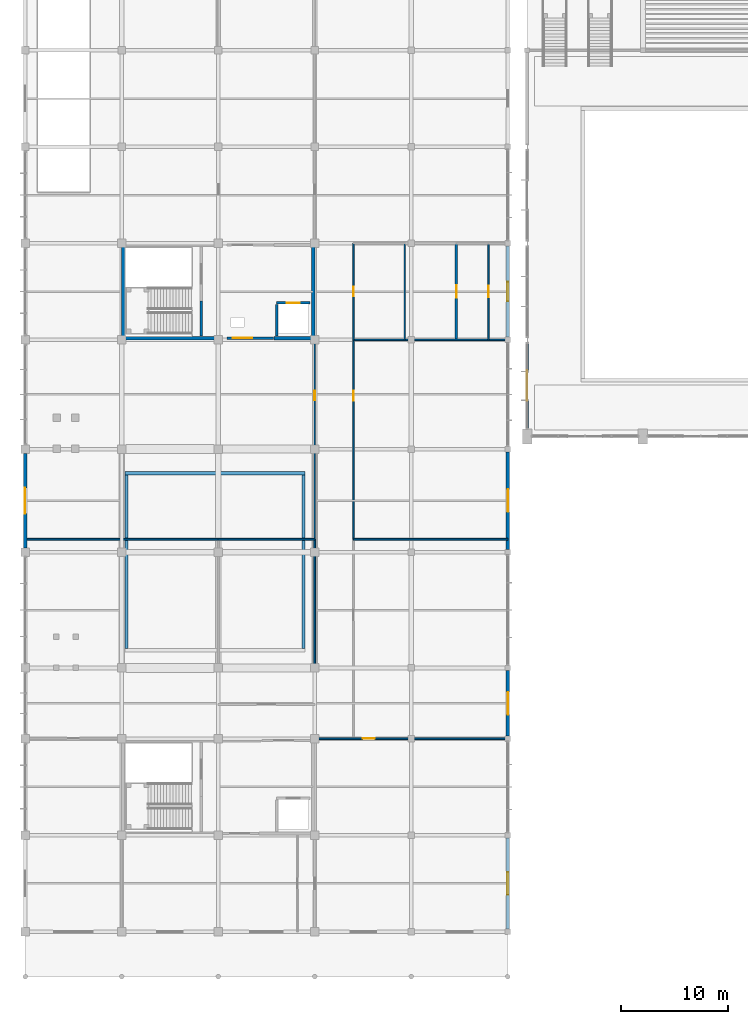
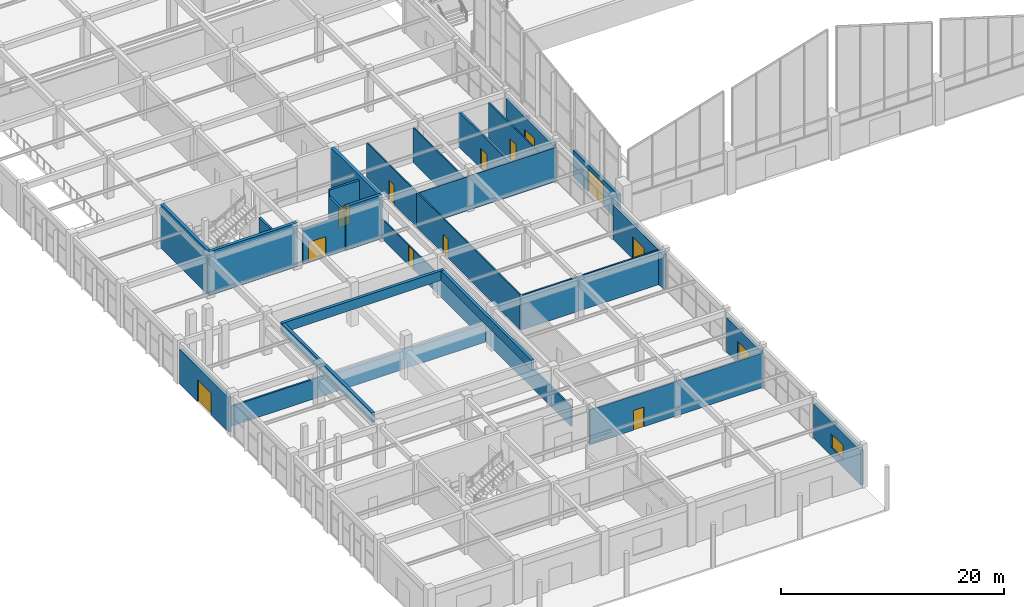
# One storey, part 48 of 82: 29 walls, 12 doors, 2 windows, 14 openings.
"""IFC4 building model written with IfcOpenShell, lengths in metres."""

import ifcopenshell
import ifcopenshell.guid

model = None  # the IFC model being written
_history = None  # IfcOwnerHistory: only IFC2X3 demands one
_inside = {}  # id of a spatial element -> (the spatial element, [elements in it])
_under = {}  # id of a project, library or spatial element -> (it, [spatial elements below it])
_declared = {}  # id of a project -> (the project, [libraries it declares])
_typed = {}  # id of a type object -> (the type object, [elements of that type])
_made_of = {}  # id of a material, layer set ... -> (it, [elements and type objects made of it])


def new_model(schema):
    """Start an empty IFC model of exactly this schema.

    Asked for "IFC4X3", IfcOpenShell would pick the latest addendum, in which some entities
    have other attributes; the version numbers below select the first issue.
    IFC2X3 requires an IfcOwnerHistory on every rooted entity: one is made here for all.
    """
    global model, _history
    if schema == "IFC4X3":
        model = ifcopenshell.file(schema_version=(4, 3, 0, 0))
    else:
        model = ifcopenshell.file(schema=schema)
    _inside.clear()
    _under.clear()
    _declared.clear()
    _typed.clear()
    _made_of.clear()
    _history = None
    if model.schema == "IFC2X3":
        org = make("IfcOrganization", Name="unknown")
        user = make(
            "IfcPersonAndOrganization",
            ThePerson=make("IfcPerson", FamilyName="unknown"),
            TheOrganization=org,
        )
        app = make(
            "IfcApplication",
            ApplicationDeveloper=org,
            Version="unknown",
            ApplicationFullName="unknown",
            ApplicationIdentifier="unknown",
        )
        _history = make(
            "IfcOwnerHistory",
            OwningUser=user,
            OwningApplication=app,
            ChangeAction="ADDED",
            CreationDate=0,
        )
    return model


def make(cls, **values):
    """One entity of the class cls with the attributes given. An attribute that is None is left unset."""
    return model.create_entity(
        cls, **{name: value for name, value in values.items() if value is not None}
    )


def rooted(cls, **values):
    """An entity with a GlobalId (a new one), such as an element, a storey or a relation."""
    return make(cls, GlobalId=ifcopenshell.guid.new(), OwnerHistory=_history, **values)


def si_unit(unit_type, name, prefix=None):
    """IfcSIUnit, for example si_unit("LENGTHUNIT", "METRE", prefix="MILLI")."""
    return make("IfcSIUnit", UnitType=unit_type, Prefix=prefix, Name=name)


def assignment(units):
    """IfcUnitAssignment: the units of a project."""
    return None if units is None else make("IfcUnitAssignment", Units=units)


def point(xyz):
    """IfcCartesianPoint."""
    return None if xyz is None else make("IfcCartesianPoint", Coordinates=xyz)


def direction(xyz):
    """IfcDirection."""
    return None if xyz is None else make("IfcDirection", DirectionRatios=xyz)


def frame(location, z_axis=None, x_axis=None):
    """IfcAxis2Placement3D, a coordinate frame: its origin and axes. An axis left out is left unset."""
    return make(
        "IfcAxis2Placement3D",
        Location=point(location),
        Axis=direction(z_axis),
        RefDirection=direction(x_axis),
    )


def frame_2d(location, x_axis=None):
    """IfcAxis2Placement2D, a coordinate frame in the plane: its origin and x axis."""
    return make(
        "IfcAxis2Placement2D", Location=point(location), RefDirection=direction(x_axis)
    )


def origin():
    """The frame at (0, 0, 0) with its axes left unset."""
    return frame((0.0, 0.0, 0.0))


def place(relative_to, where):
    """IfcLocalPlacement: puts the frame where relative to a parent placement (None: the world)."""
    return make(
        "IfcLocalPlacement", PlacementRelTo=relative_to, RelativePlacement=where
    )


def context(
    kind, dimensions, precision=None, world=None, true_north=None, identifier=None
):
    """IfcGeometricRepresentationContext, for example the 3D "Model" context."""
    return make(
        "IfcGeometricRepresentationContext",
        ContextIdentifier=identifier,
        ContextType=kind,
        CoordinateSpaceDimension=dimensions,
        Precision=precision,
        WorldCoordinateSystem=world,
        TrueNorth=true_north,
    )


def subcontext(parent, identifier, kind, view, scale=None):
    """IfcGeometricRepresentationSubContext, for example "Body" below "Model"."""
    return make(
        "IfcGeometricRepresentationSubContext",
        ContextIdentifier=identifier,
        ContextType=kind,
        ParentContext=parent,
        TargetScale=scale,
        TargetView=view,
    )


def project(units=None, contexts=None):
    """IfcProject with its units and contexts."""
    return rooted(
        "IfcProject",
        Name="project",
        RepresentationContexts=contexts,
        UnitsInContext=assignment(units),
    )


def spatial(cls, under=None, at=None, **own):
    """A site, building, storey or space (cls), placed at a placement, below another one or the project."""
    s = rooted(cls, ObjectPlacement=at, **own)
    if under is not None:
        _under.setdefault(under.id(), (under, []))[1].append(s)
    return s


def profile(cls, at=None, kind="AREA", **sizes):
    """A parametric profile (cls). Its sizes go by their IFC names, for example OverallWidth=200.0."""
    return make(cls, ProfileType=kind, Position=at, **sizes)


def rectangle(**sizes):
    """IfcRectangleProfileDef."""
    return profile("IfcRectangleProfileDef", **sizes)


def extrude(swept, where, along, depth):
    """IfcExtrudedAreaSolid: the profile swept, set in the frame where, extruded along a direction by depth."""
    return make(
        "IfcExtrudedAreaSolid",
        SweptArea=swept,
        Position=where,
        ExtrudedDirection=direction(along),
        Depth=depth,
    )


def shape(context_of_items, identifier, shape_type, items):
    """IfcShapeRepresentation: the items that make up one representation, for example the "Body"."""
    return make(
        "IfcShapeRepresentation",
        ContextOfItems=context_of_items,
        RepresentationIdentifier=identifier,
        RepresentationType=shape_type,
        Items=items,
    )


def material(Name=None, Category=None):
    """IfcMaterial."""
    return make("IfcMaterial", Name=Name, Category=Category)


def layer(
    of_material, thickness, ventilated=None, Name=None, Category=None, Priority=None
):
    """IfcMaterialLayer: one layer of a wall or slab, of a material (None: an air gap)."""
    return make(
        "IfcMaterialLayer",
        Material=of_material,
        LayerThickness=thickness,
        IsVentilated=ventilated,
        Name=Name,
        Category=Category,
        Priority=Priority,
    )


def layer_set(layers, Name=None):
    """IfcMaterialLayerSet."""
    return make("IfcMaterialLayerSet", MaterialLayers=layers, LayerSetName=Name)


def made_of(thing, what):
    """Note that an element or type object is made of a material, layer set ...; save() writes the relation."""
    if what is not None:
        _made_of.setdefault(what.id(), (what, []))[1].append(thing)
    return thing


def type_object(cls, material=None, **own):
    """A type object (cls), such as IfcWallType, which elements share."""
    return made_of(rooted(cls, **own), material)


def element(
    cls,
    number,
    at=None,
    inside=None,
    cuts=None,
    type_object=None,
    material=None,
    context=None,
    identifier="Body",
    shape_type=None,
    held_by="IfcProductDefinitionShape",
    body=None,
    shapes=None,
    **own,
):
    """One element of the class cls, such as IfcWall. Its Tag is "e" and its number.

    at: its placement. inside: the storey or other place that contains it. cuts: it is an
    opening in that element (IfcRelVoidsElement). A single representation is given by context,
    identifier, shape_type and body (its items); several are given by shapes. held_by: the class
    of the entity that holds the representations. save() writes the other relations.
    """
    e = rooted(cls, Tag="e%d" % number, ObjectPlacement=at, **own)
    if body is not None:
        shapes = [shape(context, identifier, shape_type, body)]
    if shapes is not None:
        e.Representation = make(held_by, Representations=shapes)
    if inside is not None:
        _inside.setdefault(inside.id(), (inside, []))[1].append(e)
    if cuts is not None:
        rooted(
            "IfcRelVoidsElement", RelatingBuildingElement=cuts, RelatedOpeningElement=e
        )
    if type_object is not None:
        _typed.setdefault(type_object.id(), (type_object, []))[1].append(e)
    return made_of(e, material)


def fill(opening, filler):
    """IfcRelFillsElement: the door or window that sits in an opening."""
    return rooted(
        "IfcRelFillsElement",
        RelatingOpeningElement=opening,
        RelatedBuildingElement=filler,
    )


def aggregate(whole, parts):
    """IfcRelAggregates: a whole, such as a stair, and the parts it consists of."""
    return rooted("IfcRelAggregates", RelatingObject=whole, RelatedObjects=parts)


def save(model, path):
    """Write the relations noted so far, then the file.

    IfcRelAggregates (storeys below a building ...), IfcRelContainedInSpatialStructure (elements
    in a storey), IfcRelDefinesByType, IfcRelAssociatesMaterial and IfcRelDeclares: one each for
    every whole, place, type object, material and project.
    """
    for whole, parts in _under.values():
        aggregate(whole, parts)
    for where, things in _inside.values():
        rooted(
            "IfcRelContainedInSpatialStructure",
            RelatedElements=things,
            RelatingStructure=where,
        )
    for kind, things in _typed.values():
        rooted("IfcRelDefinesByType", RelatedObjects=things, RelatingType=kind)
    for what, things in _made_of.values():
        rooted("IfcRelAssociatesMaterial", RelatedObjects=things, RelatingMaterial=what)
    for by, libraries in _declared.values():
        rooted("IfcRelDeclares", RelatingContext=by, RelatedDefinitions=libraries)
    model.write(path)


model = new_model("IFC4")

# Units and contexts
model_context = context("Model", 3, precision=1e-05, world=origin(), true_north=direction((0.0, 1.0)))
body_context = subcontext(model_context, "Body", "Model", "MODEL_VIEW")
ifc_project = project(units=[si_unit("LENGTHUNIT", "METRE"), si_unit("AREAUNIT", "SQUARE_METRE"), si_unit("VOLUMEUNIT", "CUBIC_METRE"), si_unit("PLANEANGLEUNIT", "RADIAN"), si_unit("MASSUNIT", "GRAM", prefix="KILO")], contexts=[model_context])

# Site, building, storey
site_placement = place(None, origin())
site = spatial("IfcSite", under=ifc_project, at=site_placement, CompositionType="ELEMENT")
building_placement = place(site_placement, origin())
building = spatial("IfcBuilding", under=site, at=building_placement, Name="Suirenkawa Promenade Aquatics Centre", CompositionType="ELEMENT")
storey_placement = place(building_placement, origin())
storey = spatial("IfcBuildingStorey", under=building, at=storey_placement, Name="L00", CompositionType="ELEMENT", Elevation=0.0)

# Wall, opening, door
ifc_material_1 = material(Name="Autoclaved aerated concrete blockwork Grade 1", Category="masonry")
ifc_layer_1 = layer(ifc_material_1, 0.199951171875, Name="Autoclaved aerated concrete blockwork Grade 1", Category="masonry")
ifc_layer_set_1 = layer_set([ifc_layer_1], Name="Autoclaved aerated concrete blockwork Grade 1")
wall_type_1 = type_object("IfcWallType", Name="WT-COMP-200", PredefinedType="PARTITIONING", material=ifc_layer_set_1)
wall_1_placement = place(storey_placement, frame((40.199951171875, 59.39990234375, 0.0), z_axis=(0.0, 0.0, 1.0), x_axis=(0.0, 1.0, 0.0)))
wall_1 = element("IfcWall", 1, at=wall_1_placement, inside=storey, type_object=wall_type_1, Name="Interior wall WL-PRT-01 W-7221", PredefinedType="PARTITIONING", context=body_context, shape_type="SweptSolid", body=[
    extrude(rectangle(XDim=9.0, YDim=0.199951171875, at=frame_2d((4.5, 0.0))), origin(), (0.0, 0.0, 1.0), 3.8349609375),
])
opening_1_placement = place(wall_1_placement, frame((3.925048828125, 0.0, 0.0)))
opening_1 = element("IfcOpeningElement", 2, at=opening_1_placement, cuts=wall_1, Name="Opening ID-03", PredefinedType="OPENING", context=body_context, shape_type="SweptSolid", body=[
    extrude(rectangle(XDim=1.14990234375, YDim=2.199951171875, at=frame_2d((0.574951171875, 1.10009765625))), frame((0.0, 0.10986328125, 0.0), z_axis=(0.0, -1.0, 0.0), x_axis=(1.0, 0.0, 0.0)), (0.0, 0.0, 1.0), 0.219970703125),
])
ifc_material_2 = material(Name="Steel IS 2062 E350 (Grade 350)", Category="steel")
door_type_1 = type_object("IfcDoorType", Name="DT-FD120-1150x2200", OperationType="NOTDEFINED", PredefinedType="DOOR", material=ifc_material_2)
door_1_placement = place(opening_1_placement, origin())
door_1 = element("IfcDoor", 3, at=door_1_placement, inside=storey, type_object=door_type_1, Name="Interior door ID-03 DR-INT-0139", OperationType="SINGLE_SWING_RIGHT", OverallHeight=2.199951171875, OverallWidth=1.14990234375, PredefinedType="DOOR", context=body_context, shape_type="SweptSolid", body=[
    extrude(rectangle(XDim=1.14990234375, YDim=2.199951171875, at=frame_2d((0.574951171875, 1.10009765625))), frame((0.0, 0.02490234375, 0.0), z_axis=(0.0, -1.0, 0.0), x_axis=(1.0, 0.0, 0.0)), (0.0, 0.0, 1.0), 0.050048828125),
])
fill(opening_1, door_1)

# Walls
ifc_material_3 = material(Name="Concrete M40", Category="concrete")
ifc_layer_2 = layer(ifc_material_3, 0.320068359375, Name="Concrete M40", Category="concrete")
ifc_layer_set_2 = layer_set([ifc_layer_2], Name="Concrete M40")
wall_type_2 = type_object("IfcWallType", Name="WT-CORE-320", PredefinedType="SHEAR", material=ifc_layer_set_2)
wall_2_placement = place(storey_placement, frame((9.0, 59.56005859375, 0.0), z_axis=(0.0, 0.0, 1.0), x_axis=(1.0, 0.0, 0.0)))
element("IfcWall", 4, at=wall_2_placement, inside=storey, type_object=wall_type_2, Name="C2 south core wall WL-CORE-01 W-0080", PredefinedType="SHEAR", context=body_context, shape_type="SweptSolid", body=[
    extrude(rectangle(XDim=9.199951171875, YDim=0.320068359375, at=frame_2d((4.60009765625, 0.0))), origin(), (0.0, 0.0, 1.0), 4.800048828125),
])
wall_3_placement = place(storey_placement, frame((23.199951171875, 59.56005859375, 0.0), z_axis=(0.0, 0.0, 1.0), x_axis=(1.0, 0.0, 0.0)))
element("IfcWall", 5, at=wall_3_placement, inside=storey, type_object=wall_type_2, Name="C2 south shaft wall WL-CORE-01 W-0081", PredefinedType="SHEAR", context=body_context, shape_type="SweptSolid", body=[
    extrude(rectangle(XDim=3.800048828125, YDim=0.320068359375, at=frame_2d((1.89990234375, 0.0))), origin(), (0.0, 0.0, 1.0), 4.800048828125),
])
for number, where, z_axis, x_axis, name in (
    (6, (9.159912109375, 59.719970703125, 0.0), (0.0, 0.0, 1.0), (0.0, 1.0, 0.0), "C2 west core wall WL-CORE-01 W-0084"),
    (7, (26.840087890625, 59.719970703125, 0.0), (0.0, 0.0, 1.0), (0.0, 1.0, 0.0), "C2 east core wall WL-CORE-01 W-0085"),
):
    element("IfcWall", number, at=place(storey_placement, frame(where, z_axis=z_axis, x_axis=x_axis)), inside=storey, type_object=wall_type_2, Name=name, PredefinedType="SHEAR", context=body_context, shape_type="SweptSolid", body=[
        extrude(rectangle(XDim=8.360107421875, YDim=0.320068359375, at=frame_2d((4.18017578125, 0.0))), origin(), (0.0, 0.0, 1.0), 4.800048828125),
    ])

# Wall, opening, window
ifc_layer_3 = layer(ifc_material_3, 0.2900390625, Name="Concrete M40", Category="concrete")
ifc_layer_set_3 = layer_set([ifc_layer_3], Name="Concrete M40")
wall_type_3 = type_object("IfcWallType", Name="WT-EXT-290", PredefinedType="SOLIDWALL", material=ifc_layer_set_3)
wall_4_placement = place(storey_placement, frame((45.0, 12.945068359375, 0.0), z_axis=(0.0, 0.0, 1.0), x_axis=(0.0, -1.0, 0.0)))
wall_4 = element("IfcWall", 8, at=wall_4_placement, inside=storey, type_object=wall_type_3, Name="Exterior wall WL-EXT-03 W-5097", PredefinedType="SOLIDWALL", context=body_context, shape_type="SweptSolid", body=[
    extrude(rectangle(XDim=8.489990234375, YDim=0.2900390625, at=frame_2d((4.2451171875, 0.0))), origin(), (0.0, 0.0, 1.0), 3.784912109375),
])
opening_2_placement = place(wall_4_placement, frame((3.195068359375, 0.0, 0.949951171875)))
opening_2 = element("IfcOpeningElement", 9, at=opening_2_placement, cuts=wall_4, Name="Opening WN-12", PredefinedType="OPENING", context=body_context, shape_type="SweptSolid", body=[
    extrude(rectangle(XDim=2.10009765625, YDim=1.5, at=frame_2d((1.050048828125, 0.75))), frame((0.0, 0.155029296875, 0.0), z_axis=(0.0, -1.0, 0.0), x_axis=(1.0, 0.0, 0.0)), (0.0, 0.0, 1.0), 0.31005859375),
])
ifc_material_4 = material(Name="Low-E thermally broken double glazing", Category="glass")
window_type_1 = type_object("IfcWindowType", Name="WNT-STD-2100x1500", PartitioningType="SINGLE_PANEL", PredefinedType="WINDOW", material=ifc_material_4)
window_1_placement = place(opening_2_placement, origin())
window_1 = element("IfcWindow", 10, at=window_1_placement, inside=storey, type_object=window_type_1, Name="Window WN-12 WN-0041", OverallHeight=1.5, OverallWidth=2.10009765625, PartitioningType="SINGLE_PANEL", PredefinedType="WINDOW", context=body_context, shape_type="SweptSolid", body=[
    extrude(rectangle(XDim=2.10009765625, YDim=1.5, at=frame_2d((1.050048828125, 0.75))), frame((0.0, 0.030029296875, 0.0), z_axis=(0.0, -1.0, 0.0), x_axis=(1.0, 0.0, 0.0)), (0.0, 0.0, 1.0), 0.06005859375),
])
fill(opening_2, window_1)

# Wall, opening, door
wall_5_placement = place(storey_placement, frame((45.0, 28.544921875, 0.0), z_axis=(0.0, 0.0, 1.0), x_axis=(0.0, -1.0, 0.0)))
wall_5 = element("IfcWall", 11, at=wall_5_placement, inside=storey, type_object=wall_type_3, Name="Exterior wall WL-EXT-03 W-5098", PredefinedType="SOLIDWALL", context=body_context, shape_type="SweptSolid", body=[
    extrude(rectangle(XDim=6.08984375, YDim=0.2900390625, at=frame_2d((3.044921875, 0.0))), origin(), (0.0, 0.0, 1.0), 3.784912109375),
])
opening_3_placement = place(wall_5_placement, frame((1.9951171875, 0.0, 0.0)))
opening_3 = element("IfcOpeningElement", 12, at=opening_3_placement, cuts=wall_5, Name="Opening ED-05", PredefinedType="OPENING", context=body_context, shape_type="SweptSolid", body=[
    extrude(rectangle(XDim=2.10009765625, YDim=2.39990234375, at=frame_2d((1.050048828125, 1.199951171875))), frame((0.0, 0.155029296875, 0.0), z_axis=(0.0, -1.0, 0.0), x_axis=(1.0, 0.0, 0.0)), (0.0, 0.0, 1.0), 0.31005859375),
])
ifc_material_5 = material(Name="Anodised aluminium 6063-T6", Category="aluminium")
door_type_2 = type_object("IfcDoorType", Name="DT-EXT-EXIT-2100x2400", OperationType="DOUBLE_DOOR_SINGLE_SWING", PredefinedType="DOOR", material=ifc_material_5)
door_2_placement = place(opening_3_placement, origin())
door_2 = element("IfcDoor", 13, at=door_2_placement, inside=storey, type_object=door_type_2, Name="Exterior door ED-05 DR-EXT-048", OperationType="DOUBLE_DOOR_SINGLE_SWING", OverallHeight=2.39990234375, OverallWidth=2.10009765625, PredefinedType="DOOR", context=body_context, shape_type="SweptSolid", body=[
    extrude(rectangle(XDim=2.10009765625, YDim=2.39990234375, at=frame_2d((1.050048828125, 1.199951171875))), frame((0.0, 0.02490234375, 0.0), z_axis=(0.0, -1.0, 0.0), x_axis=(1.0, 0.0, 0.0)), (0.0, 0.0, 1.0), 0.050048828125),
])
fill(opening_3, door_2)

wall_6_placement = place(storey_placement, frame((45.0, 48.945068359375, 0.0), z_axis=(0.0, 0.0, 1.0), x_axis=(0.0, -1.0, 0.0)))
wall_6 = element("IfcWall", 14, at=wall_6_placement, inside=storey, type_object=wall_type_3, Name="Exterior wall WL-EXT-03 W-5099", PredefinedType="SOLIDWALL", context=body_context, shape_type="SweptSolid", body=[
    extrude(rectangle(XDim=9.090087890625, YDim=0.2900390625, at=frame_2d((4.544921875, 0.0))), origin(), (0.0, 0.0, 1.0), 3.784912109375),
])
opening_4_placement = place(wall_6_placement, frame((3.4951171875, 0.0, 0.0)))
opening_4 = element("IfcOpeningElement", 15, at=opening_4_placement, cuts=wall_6, Name="Opening ED-05", PredefinedType="OPENING", context=body_context, shape_type="SweptSolid", body=[
    extrude(rectangle(XDim=2.10009765625, YDim=2.39990234375, at=frame_2d((1.050048828125, 1.199951171875))), frame((0.0, 0.155029296875, 0.0), z_axis=(0.0, -1.0, 0.0), x_axis=(1.0, 0.0, 0.0)), (0.0, 0.0, 1.0), 0.31005859375),
])
door_3_placement = place(opening_4_placement, origin())
door_3 = element("IfcDoor", 16, at=door_3_placement, inside=storey, type_object=door_type_2, Name="Exterior door ED-05 DR-EXT-049", OperationType="DOUBLE_DOOR_SINGLE_SWING", OverallHeight=2.39990234375, OverallWidth=2.10009765625, PredefinedType="DOOR", context=body_context, shape_type="SweptSolid", body=[
    extrude(rectangle(XDim=2.10009765625, YDim=2.39990234375, at=frame_2d((1.050048828125, 1.199951171875))), frame((0.0, 0.02490234375, 0.0), z_axis=(0.0, -1.0, 0.0), x_axis=(1.0, 0.0, 0.0)), (0.0, 0.0, 1.0), 0.050048828125),
])
fill(opening_4, door_3)

# Wall, opening, window
wall_7_placement = place(storey_placement, frame((45.0, 68.14501953125, 0.0), z_axis=(0.0, 0.0, 1.0), x_axis=(0.0, -1.0, 0.0)))
wall_7 = element("IfcWall", 17, at=wall_7_placement, inside=storey, type_object=wall_type_3, Name="Exterior wall WL-EXT-03 W-5100", PredefinedType="SOLIDWALL", context=body_context, shape_type="SweptSolid", body=[
    extrude(rectangle(XDim=8.489990234375, YDim=0.2900390625, at=frame_2d((4.2451171875, 0.0))), origin(), (0.0, 0.0, 1.0), 3.784912109375),
])
opening_5_placement = place(wall_7_placement, frame((3.344970703125, 0.0, 0.949951171875)))
opening_5 = element("IfcOpeningElement", 18, at=opening_5_placement, cuts=wall_7, Name="Opening WN-13", PredefinedType="OPENING", context=body_context, shape_type="SweptSolid", body=[
    extrude(rectangle(XDim=1.800048828125, YDim=1.5, at=frame_2d((0.89990234375, 0.75))), frame((0.0, 0.155029296875, 0.0), z_axis=(0.0, -1.0, 0.0), x_axis=(1.0, 0.0, 0.0)), (0.0, 0.0, 1.0), 0.31005859375),
])
window_type_2 = type_object("IfcWindowType", Name="WNT-STD-1800x1500", PartitioningType="SINGLE_PANEL", PredefinedType="WINDOW", material=ifc_material_4)
window_2_placement = place(opening_5_placement, origin())
window_2 = element("IfcWindow", 19, at=window_2_placement, inside=storey, type_object=window_type_2, Name="Window WN-13 WN-0042", OverallHeight=1.5, OverallWidth=1.800048828125, PartitioningType="SINGLE_PANEL", PredefinedType="WINDOW", context=body_context, shape_type="SweptSolid", body=[
    extrude(rectangle(XDim=1.800048828125, YDim=1.5, at=frame_2d((0.89990234375, 0.75))), frame((0.0, 0.030029296875, 0.0), z_axis=(0.0, -1.0, 0.0), x_axis=(1.0, 0.0, 0.0)), (0.0, 0.0, 1.0), 0.06005859375),
])
fill(opening_5, window_2)

# Wall, opening, door
ifc_layer_4 = layer(ifc_material_3, 0.31005859375, Name="Concrete M40", Category="concrete")
ifc_layer_set_4 = layer_set([ifc_layer_4], Name="Concrete M40")
wall_type_4 = type_object("IfcWallType", Name="WT-EXT-310", PredefinedType="SOLIDWALL", material=ifc_layer_set_4)
wall_8_placement = place(storey_placement, frame((46.800048828125, 51.10498046875, 0.0), z_axis=(0.0, 0.0, 1.0), x_axis=(0.0, 1.0, 0.0)))
wall_8 = element("IfcWall", 20, at=wall_8_placement, inside=storey, type_object=wall_type_4, Name="Exterior wall WL-EXT-02 W-5017", PredefinedType="SOLIDWALL", context=body_context, shape_type="SweptSolid", body=[
    extrude(rectangle(XDim=8.06494140625, YDim=0.31005859375, at=frame_2d((4.032470703125, 0.0))), origin(), (0.0, 0.0, 1.0), 2.929931640625),
])
opening_6_placement = place(wall_8_placement, frame((2.633056640625, 0.0, 0.0)))
opening_6 = element("IfcOpeningElement", 21, at=opening_6_placement, cuts=wall_8, Name="Opening ED-03", PredefinedType="OPENING", context=body_context, shape_type="SweptSolid", body=[
    extrude(rectangle(XDim=2.800048828125, YDim=2.5, at=frame_2d((1.39990234375, 1.25))), frame((0.0, 0.1650390625, 0.0), z_axis=(0.0, -1.0, 0.0), x_axis=(1.0, 0.0, 0.0)), (0.0, 0.0, 1.0), 0.330078125),
])
door_type_3 = type_object("IfcDoorType", Name="DT-EXT-EXIT-2800x2500", OperationType="DOUBLE_DOOR_SINGLE_SWING", PredefinedType="DOOR", material=ifc_material_5)
door_4_placement = place(opening_6_placement, origin())
door_4 = element("IfcDoor", 22, at=door_4_placement, inside=storey, type_object=door_type_3, Name="Exterior door ED-03 DR-EXT-014", OperationType="DOUBLE_DOOR_SINGLE_SWING", OverallHeight=2.5, OverallWidth=2.800048828125, PredefinedType="DOOR", context=body_context, shape_type="SweptSolid", body=[
    extrude(rectangle(XDim=2.800048828125, YDim=2.5, at=frame_2d((1.39990234375, 1.25))), frame((0.0, 0.02490234375, 0.0), z_axis=(0.0, -1.0, 0.0), x_axis=(1.0, 0.0, 0.0)), (0.0, 0.0, 1.0), 0.050048828125),
])
fill(opening_6, door_4)

wall_9_placement = place(storey_placement, frame((0.0, 40.0048828125, 0.0), z_axis=(0.0, 0.0, 1.0), x_axis=(0.0, 1.0, 0.0)))
wall_9 = element("IfcWall", 23, at=wall_9_placement, inside=storey, type_object=wall_type_4, Name="Exterior wall WL-EXT-02 W-5095", PredefinedType="SOLIDWALL", context=body_context, shape_type="SweptSolid", body=[
    extrude(rectangle(XDim=8.7900390625, YDim=0.31005859375, at=frame_2d((4.39501953125, 0.0))), origin(), (0.0, 0.0, 1.0), 3.784912109375),
])
opening_7_placement = place(wall_9_placement, frame((3.195068359375, 0.0, 0.0)))
opening_7 = element("IfcOpeningElement", 24, at=opening_7_placement, cuts=wall_9, Name="Opening ED-04", PredefinedType="OPENING", context=body_context, shape_type="SweptSolid", body=[
    extrude(rectangle(XDim=2.39990234375, YDim=2.39990234375, at=frame_2d((1.199951171875, 1.199951171875))), frame((0.0, 0.1650390625, 0.0), z_axis=(0.0, -1.0, 0.0), x_axis=(1.0, 0.0, 0.0)), (0.0, 0.0, 1.0), 0.330078125),
])
door_type_4 = type_object("IfcDoorType", Name="DT-EXT-EXIT-2400x2400", OperationType="DOUBLE_DOOR_SINGLE_SWING", PredefinedType="DOOR", material=ifc_material_5)
door_5_placement = place(opening_7_placement, origin())
door_5 = element("IfcDoor", 25, at=door_5_placement, inside=storey, type_object=door_type_4, Name="Exterior door ED-04 DR-EXT-046", OperationType="DOUBLE_DOOR_SINGLE_SWING", OverallHeight=2.39990234375, OverallWidth=2.39990234375, PredefinedType="DOOR", context=body_context, shape_type="SweptSolid", body=[
    extrude(rectangle(XDim=2.39990234375, YDim=2.39990234375, at=frame_2d((1.199951171875, 1.199951171875))), frame((0.0, 0.02490234375, 0.0), z_axis=(0.0, -1.0, 0.0), x_axis=(1.0, 0.0, 0.0)), (0.0, 0.0, 1.0), 0.050048828125),
])
fill(opening_7, door_5)

# Wall
ifc_layer_5 = layer(ifc_material_1, 0.179931640625, Name="Autoclaved aerated concrete blockwork Grade 1", Category="masonry")
ifc_layer_set_5 = layer_set([ifc_layer_5], Name="Autoclaved aerated concrete blockwork Grade 1")
wall_type_5 = type_object("IfcWallType", Name="WT-FIRE-180", PredefinedType="PARTITIONING", material=ifc_layer_set_5)
wall_10_placement = place(storey_placement, frame((0.0, 40.800048828125, 0.0), z_axis=(0.0, 0.0, 1.0), x_axis=(1.0, 0.0, 0.0)))
element("IfcWall", 26, at=wall_10_placement, inside=storey, type_object=wall_type_5, Name="Interior wall WL-PRT-02 W-7233", PredefinedType="PARTITIONING", context=body_context, shape_type="SweptSolid", body=[
    extrude(rectangle(XDim=18.0, YDim=0.179931640625, at=frame_2d((9.0, 0.0))), origin(), (0.0, 0.0, 1.0), 2.179931640625),
])

# Wall, opening, door
ifc_material_6 = material(Name="Moisture-resistant acoustic gypsum board")
ifc_layer_6 = layer(ifc_material_6, 0.1201171875, Name="Moisture-resistant acoustic gypsum board")
ifc_layer_set_6 = layer_set([ifc_layer_6], Name="Moisture-resistant acoustic gypsum board")
wall_type_6 = type_object("IfcWallType", Name="WT-LIGHT-120", PredefinedType="PARTITIONING", material=ifc_layer_set_6)
wall_11_placement = place(storey_placement, frame((30.60009765625, 59.39990234375, 0.0), z_axis=(0.0, 0.0, 1.0), x_axis=(0.0, 1.0, 0.0)))
wall_11 = element("IfcWall", 27, at=wall_11_placement, inside=storey, type_object=wall_type_6, Name="Interior wall WL-PRT-05 W-7218", PredefinedType="PARTITIONING", context=body_context, shape_type="SweptSolid", body=[
    extrude(rectangle(XDim=9.0, YDim=0.1201171875, at=frame_2d((4.5, 0.0))), origin(), (0.0, 0.0, 1.0), 3.8349609375),
])
opening_8_placement = place(wall_11_placement, frame((4.050048828125, 0.0, 0.0)))
opening_8 = element("IfcOpeningElement", 28, at=opening_8_placement, cuts=wall_11, Name="Opening ID-12", PredefinedType="OPENING", context=body_context, shape_type="SweptSolid", body=[
    extrude(rectangle(XDim=0.89990234375, YDim=2.10009765625, at=frame_2d((0.449951171875, 1.050048828125))), frame((0.0, 0.070068359375, 0.0), z_axis=(0.0, -1.0, 0.0), x_axis=(1.0, 0.0, 0.0)), (0.0, 0.0, 1.0), 0.14013671875),
])
ifc_material_7 = material(Name="Engineered maple acoustic sports timber", Category="wood")
door_type_5 = type_object("IfcDoorType", Name="DT-STD-900x2100", OperationType="NOTDEFINED", PredefinedType="DOOR", material=ifc_material_7)
door_6_placement = place(opening_8_placement, origin())
door_6 = element("IfcDoor", 29, at=door_6_placement, inside=storey, type_object=door_type_5, Name="Interior door ID-12 DR-INT-0138", OperationType="SINGLE_SWING_LEFT", OverallHeight=2.10009765625, OverallWidth=0.89990234375, PredefinedType="DOOR", context=body_context, shape_type="SweptSolid", body=[
    extrude(rectangle(XDim=0.89990234375, YDim=2.10009765625, at=frame_2d((0.449951171875, 1.050048828125))), frame((0.0, 0.02490234375, 0.0), z_axis=(0.0, -1.0, 0.0), x_axis=(1.0, 0.0, 0.0)), (0.0, 0.0, 1.0), 0.050048828125),
])
fill(opening_8, door_6)

# Wall
wall_12_placement = place(storey_placement, frame((35.39990234375, 59.39990234375, 0.0), z_axis=(0.0, 0.0, 1.0), x_axis=(0.0, 1.0, 0.0)))
element("IfcWall", 30, at=wall_12_placement, inside=storey, type_object=wall_type_6, Name="Interior wall WL-PRT-05 W-7219", PredefinedType="PARTITIONING", context=body_context, shape_type="SweptSolid", body=[
    extrude(rectangle(XDim=9.0, YDim=0.1201171875, at=frame_2d((4.5, 0.0))), origin(), (0.0, 0.0, 1.0), 3.8349609375),
])

# Wall, opening, door
wall_13_placement = place(storey_placement, frame((27.0, 40.800048828125, 0.0), z_axis=(0.0, 0.0, 1.0), x_axis=(0.0, 1.0, 0.0)))
wall_13 = element("IfcWall", 31, at=wall_13_placement, inside=storey, type_object=wall_type_6, Name="Interior wall WL-PRT-05 W-7237", PredefinedType="PARTITIONING", context=body_context, shape_type="SweptSolid", body=[
    extrude(rectangle(XDim=18.599853515625, YDim=0.1201171875, at=frame_2d((9.2998046875, 0.0))), origin(), (0.0, 0.0, 1.0), 2.179931640625),
])
opening_9_placement = place(wall_13_placement, frame((12.94189453125, 0.0, 0.0)))
opening_9 = element("IfcOpeningElement", 32, at=opening_9_placement, cuts=wall_13, Name="Opening ID-12", PredefinedType="OPENING", context=body_context, shape_type="SweptSolid", body=[
    extrude(rectangle(XDim=0.89990234375, YDim=2.10009765625, at=frame_2d((0.449951171875, 1.050048828125))), frame((0.0, 0.070068359375, 0.0), z_axis=(0.0, -1.0, 0.0), x_axis=(1.0, 0.0, 0.0)), (0.0, 0.0, 1.0), 0.14013671875),
])
door_7_placement = place(opening_9_placement, origin())
door_7 = element("IfcDoor", 33, at=door_7_placement, inside=storey, type_object=door_type_5, Name="Interior door ID-12 DR-INT-0145", OperationType="SINGLE_SWING_LEFT", OverallHeight=2.10009765625, OverallWidth=0.89990234375, PredefinedType="DOOR", context=body_context, shape_type="SweptSolid", body=[
    extrude(rectangle(XDim=0.89990234375, YDim=2.10009765625, at=frame_2d((0.449951171875, 1.050048828125))), frame((0.0, 0.02490234375, 0.0), z_axis=(0.0, -1.0, 0.0), x_axis=(1.0, 0.0, 0.0)), (0.0, 0.0, 1.0), 0.050048828125),
])
fill(opening_9, door_7)

# Wall
ifc_material_8 = material(Name="Concrete M35", Category="concrete")
ifc_layer_7 = layer(ifc_material_8, 0.219970703125, Name="Concrete M35", Category="concrete")
ifc_layer_set_7 = layer_set([ifc_layer_7], Name="Concrete M35")
wall_type_7 = type_object("IfcWallType", Name="WT-LOBBY-220", PredefinedType="PARTITIONING", material=ifc_layer_set_7)
wall_14_placement = place(storey_placement, frame((16.39990234375, 59.75, 0.0), z_axis=(0.0, 0.0, 1.0), x_axis=(0.0, 1.0, 0.0)))
element("IfcWall", 34, at=wall_14_placement, inside=storey, type_object=wall_type_7, Name="Interior wall WL-LOB-01 W-7043", PredefinedType="PARTITIONING", context=body_context, shape_type="SweptSolid", body=[
    extrude(rectangle(XDim=3.25, YDim=0.219970703125, at=frame_2d((1.625, 0.0))), origin(), (0.0, 0.0, 1.0), 3.8349609375),
])

# Wall, opening, door
wall_15_placement = place(storey_placement, frame((18.800048828125, 59.56005859375, 0.0), z_axis=(0.0, 0.0, 1.0), x_axis=(1.0, 0.0, 0.0)))
wall_15 = element("IfcWall", 35, at=wall_15_placement, inside=storey, type_object=wall_type_7, Name="Interior wall WL-LOB-01 W-7046", PredefinedType="PARTITIONING", context=body_context, shape_type="SweptSolid", body=[
    extrude(rectangle(XDim=4.349853515625, YDim=0.219970703125, at=frame_2d((2.1748046875, 0.0))), origin(), (0.0, 0.0, 1.0), 3.8349609375),
])
opening_10_placement = place(wall_15_placement, frame((0.550048828125, 0.0, 0.0)))
opening_10 = element("IfcOpeningElement", 36, at=opening_10_placement, cuts=wall_15, Name="Opening ID-02", PredefinedType="OPENING", context=body_context, shape_type="SweptSolid", body=[
    extrude(rectangle(XDim=1.800048828125, YDim=2.199951171875, at=frame_2d((0.89990234375, 1.10009765625))), frame((0.0, 0.119873046875, 0.0), z_axis=(0.0, -1.0, 0.0), x_axis=(1.0, 0.0, 0.0)), (0.0, 0.0, 1.0), 0.239990234375),
])
door_type_6 = type_object("IfcDoorType", Name="DT-FD120-1800x2200", OperationType="DOUBLE_DOOR_SINGLE_SWING", PredefinedType="DOOR", material=ifc_material_2)
door_8_placement = place(opening_10_placement, origin())
door_8 = element("IfcDoor", 37, at=door_8_placement, inside=storey, type_object=door_type_6, Name="Interior door ID-02 DR-INT-0030", OperationType="DOUBLE_DOOR_SINGLE_SWING", OverallHeight=2.199951171875, OverallWidth=1.800048828125, PredefinedType="DOOR", context=body_context, shape_type="SweptSolid", body=[
    extrude(rectangle(XDim=1.800048828125, YDim=2.199951171875, at=frame_2d((0.89990234375, 1.10009765625))), frame((0.0, 0.02490234375, 0.0), z_axis=(0.0, -1.0, 0.0), x_axis=(1.0, 0.0, 0.0)), (0.0, 0.0, 1.0), 0.050048828125),
])
fill(opening_10, door_8)

ifc_layer_8 = layer(ifc_material_3, 0.239990234375, Name="Concrete M40", Category="concrete")
ifc_layer_set_8 = layer_set([ifc_layer_8], Name="Concrete M40")
wall_type_8 = type_object("IfcWallType", Name="WT-SHAFT-240", PredefinedType="SOLIDWALL", material=ifc_layer_set_8)
wall_16_placement = place(storey_placement, frame((23.449951171875, 62.85009765625, 0.0), z_axis=(0.0, 0.0, 1.0), x_axis=(1.0, 0.0, 0.0)))
wall_16 = element("IfcWall", 38, at=wall_16_placement, inside=storey, type_object=wall_type_8, Name="Interior wall WL-SHF-01 W-7044", PredefinedType="SOLIDWALL", context=body_context, shape_type="SweptSolid", body=[
    extrude(rectangle(XDim=3.10009765625, YDim=0.239990234375, at=frame_2d((1.550048828125, 0.0))), origin(), (0.0, 0.0, 1.0), 4.5048828125),
])
opening_11_placement = place(wall_16_placement, frame((0.949951171875, 0.0, 0.0)))
opening_11 = element("IfcOpeningElement", 39, at=opening_11_placement, cuts=wall_16, Name="Opening LD-02", PredefinedType="OPENING", context=body_context, shape_type="SweptSolid", body=[
    extrude(rectangle(XDim=1.199951171875, YDim=2.199951171875, at=frame_2d((0.60009765625, 1.10009765625))), frame((0.0, 0.1298828125, 0.0), z_axis=(0.0, -1.0, 0.0), x_axis=(1.0, 0.0, 0.0)), (0.0, 0.0, 1.0), 0.260009765625),
])
ifc_material_9 = material(Name="Marine-grade stainless steel Grade 316L", Category="steel")
door_type_7 = type_object("IfcDoorType", Name="DT-LIFT-1200x2200", OperationType="DOUBLE_DOOR_SLIDING", PredefinedType="DOOR", material=ifc_material_9)
door_9_placement = place(opening_11_placement, origin())
door_9 = element("IfcDoor", 40, at=door_9_placement, inside=storey, type_object=door_type_7, Name="Landing door LD-02 DR-INT-0029", OperationType="DOUBLE_DOOR_SLIDING", OverallHeight=2.199951171875, OverallWidth=1.199951171875, PredefinedType="DOOR", context=body_context, shape_type="SweptSolid", body=[
    extrude(rectangle(XDim=1.199951171875, YDim=2.199951171875, at=frame_2d((0.60009765625, 1.10009765625))), frame((0.0, 0.02490234375, 0.0), z_axis=(0.0, -1.0, 0.0), x_axis=(1.0, 0.0, 0.0)), (0.0, 0.0, 1.0), 0.050048828125),
])
fill(opening_11, door_9)

# Wall
wall_17_placement = place(storey_placement, frame((23.449951171875, 59.75, 0.0), z_axis=(0.0, 0.0, 1.0), x_axis=(0.0, 1.0, 0.0)))
element("IfcWall", 41, at=wall_17_placement, inside=storey, type_object=wall_type_8, Name="Interior wall WL-SHF-01 W-7045", PredefinedType="SOLIDWALL", context=body_context, shape_type="SweptSolid", body=[
    extrude(rectangle(XDim=2.949951171875, YDim=0.239990234375, at=frame_2d((1.47509765625, 0.0))), origin(), (0.0, 0.0, 1.0), 3.8349609375),
])

# Wall, opening, door
ifc_layer_9 = layer(ifc_material_6, 0.139892578125, Name="Moisture-resistant acoustic gypsum board")
ifc_layer_set_9 = layer_set([ifc_layer_9], Name="Moisture-resistant acoustic gypsum board")
wall_type_9 = type_object("IfcWallType", Name="WT-STD-140", PredefinedType="PARTITIONING", material=ifc_layer_set_9)
wall_18_placement = place(storey_placement, frame((30.60009765625, 40.800048828125, 0.0), z_axis=(0.0, 0.0, 1.0), x_axis=(0.0, 1.0, 0.0)))
wall_18 = element("IfcWall", 42, at=wall_18_placement, inside=storey, type_object=wall_type_9, Name="Interior wall WL-PRT-04 W-7216", PredefinedType="PARTITIONING", context=body_context, shape_type="SweptSolid", body=[
    extrude(rectangle(XDim=18.599853515625, YDim=0.139892578125, at=frame_2d((9.2998046875, 0.0))), origin(), (0.0, 0.0, 1.0), 3.8349609375),
])
opening_12_placement = place(wall_18_placement, frame((12.9169921875, 0.0, 0.0)))
opening_12 = element("IfcOpeningElement", 43, at=opening_12_placement, cuts=wall_18, Name="Opening ID-11", PredefinedType="OPENING", context=body_context, shape_type="SweptSolid", body=[
    extrude(rectangle(XDim=0.949951171875, YDim=2.10009765625, at=frame_2d((0.47509765625, 1.050048828125))), frame((0.0, 0.079833984375, 0.0), z_axis=(0.0, -1.0, 0.0), x_axis=(1.0, 0.0, 0.0)), (0.0, 0.0, 1.0), 0.159912109375),
])
door_type_8 = type_object("IfcDoorType", Name="DT-STD-950x2100", OperationType="NOTDEFINED", PredefinedType="DOOR", material=ifc_material_7)
door_10_placement = place(opening_12_placement, origin())
door_10 = element("IfcDoor", 44, at=door_10_placement, inside=storey, type_object=door_type_8, Name="Interior door ID-11 DR-INT-0137", OperationType="SINGLE_SWING_RIGHT", OverallHeight=2.10009765625, OverallWidth=0.949951171875, PredefinedType="DOOR", context=body_context, shape_type="SweptSolid", body=[
    extrude(rectangle(XDim=0.949951171875, YDim=2.10009765625, at=frame_2d((0.47509765625, 1.050048828125))), frame((0.0, 0.02490234375, 0.0), z_axis=(0.0, -1.0, 0.0), x_axis=(1.0, 0.0, 0.0)), (0.0, 0.0, 1.0), 0.050048828125),
])
fill(opening_12, door_10)

# Wall
wall_19_placement = place(storey_placement, frame((30.60009765625, 59.39990234375, 0.0), z_axis=(0.0, 0.0, 1.0), x_axis=(1.0, 0.0, 0.0)))
element("IfcWall", 45, at=wall_19_placement, inside=storey, type_object=wall_type_9, Name="Interior wall WL-PRT-04 W-7217", PredefinedType="PARTITIONING", context=body_context, shape_type="SweptSolid", body=[
    extrude(rectangle(XDim=14.39990234375, YDim=0.139892578125, at=frame_2d((7.199951171875, 0.0))), origin(), (0.0, 0.0, 1.0), 3.735107421875),
])

# Wall, opening, door
wall_20_placement = place(storey_placement, frame((43.199951171875, 59.39990234375, 0.0), z_axis=(0.0, 0.0, 1.0), x_axis=(0.0, 1.0, 0.0)))
wall_20 = element("IfcWall", 46, at=wall_20_placement, inside=storey, type_object=wall_type_9, Name="Interior wall WL-PRT-04 W-7223", PredefinedType="PARTITIONING", context=body_context, shape_type="SweptSolid", body=[
    extrude(rectangle(XDim=9.0, YDim=0.139892578125, at=frame_2d((4.5, 0.0))), origin(), (0.0, 0.0, 1.0), 3.8349609375),
])
opening_13_placement = place(wall_20_placement, frame((3.97509765625, 0.0, 0.0)))
opening_13 = element("IfcOpeningElement", 47, at=opening_13_placement, cuts=wall_20, Name="Opening ID-08", PredefinedType="OPENING", context=body_context, shape_type="SweptSolid", body=[
    extrude(rectangle(XDim=1.050048828125, YDim=2.199951171875, at=frame_2d((0.52490234375, 1.10009765625))), frame((0.0, 0.079833984375, 0.0), z_axis=(0.0, -1.0, 0.0), x_axis=(1.0, 0.0, 0.0)), (0.0, 0.0, 1.0), 0.159912109375),
])
door_type_9 = type_object("IfcDoorType", Name="DT-ACC-1050x2200", OperationType="NOTDEFINED", PredefinedType="DOOR", material=ifc_material_5)
door_11_placement = place(opening_13_placement, origin())
door_11 = element("IfcDoor", 48, at=door_11_placement, inside=storey, type_object=door_type_9, Name="Interior door ID-08 DR-INT-0140", OperationType="SINGLE_SWING_LEFT", OverallHeight=2.199951171875, OverallWidth=1.050048828125, PredefinedType="DOOR", context=body_context, shape_type="SweptSolid", body=[
    extrude(rectangle(XDim=1.050048828125, YDim=2.199951171875, at=frame_2d((0.52490234375, 1.10009765625))), frame((0.0, 0.02490234375, 0.0), z_axis=(0.0, -1.0, 0.0), x_axis=(1.0, 0.0, 0.0)), (0.0, 0.0, 1.0), 0.050048828125),
])
fill(opening_13, door_11)

# Walls
ifc_material_10 = material(Name="Waterproof concrete M40", Category="concrete")
ifc_layer_10 = layer(ifc_material_10, 0.300048828125, Name="Waterproof concrete M40", Category="concrete")
ifc_layer_set_10 = layer_set([ifc_layer_10], Name="Waterproof concrete M40")
wall_type_10 = type_object("IfcWallType", Name="WT-TANK-300", PredefinedType="USERDEFINED", material=ifc_layer_set_10)
wall_21_placement = place(storey_placement, frame((9.300048828125, 46.949951171875, 3.449951171875), z_axis=(0.0, 0.0, 1.0), x_axis=(1.0, 0.0, 0.0)))
element("IfcWall", 49, at=wall_21_placement, inside=storey, type_object=wall_type_10, Name="Hydrotherapy and Rehabilitation Pool north tank wall WL-RET-04 W-0034", ObjectType="RETAININGWALL", PredefinedType="USERDEFINED", context=body_context, shape_type="SweptSolid", body=[
    extrude(rectangle(XDim=16.800048828125, YDim=0.300048828125, at=frame_2d((8.39990234375, 0.0))), origin(), (0.0, 0.0, 1.0), 1.050048828125),
])
for number, where, z_axis, x_axis, name in (
    (50, (9.449951171875, 30.60009765625, 3.449951171875), (0.0, 0.0, 1.0), (0.0, 1.0, 0.0), "Hydrotherapy and Rehabilitation Pool west tank wall WL-RET-04 W-0035"),
    (51, (25.949951171875, 30.60009765625, 3.449951171875), (0.0, 0.0, 1.0), (0.0, 1.0, 0.0), "Hydrotherapy and Rehabilitation Pool east tank wall WL-RET-04 W-0036"),
):
    element("IfcWall", number, at=place(storey_placement, frame(where, z_axis=z_axis, x_axis=x_axis)), inside=storey, type_object=wall_type_10, Name=name, ObjectType="RETAININGWALL", PredefinedType="USERDEFINED", context=body_context, shape_type="SweptSolid", body=[
        extrude(rectangle(XDim=16.199951171875, YDim=0.300048828125, at=frame_2d((8.10009765625, 0.0))), origin(), (0.0, 0.0, 1.0), 1.050048828125),
    ])

# Wall, opening, door
ifc_layer_11 = layer(ifc_material_1, 0.159912109375, Name="Autoclaved aerated concrete blockwork Grade 1", Category="masonry")
ifc_layer_set_11 = layer_set([ifc_layer_11], Name="Autoclaved aerated concrete blockwork Grade 1")
wall_type_11 = type_object("IfcWallType", Name="WT-WET-160", PredefinedType="PARTITIONING", material=ifc_layer_set_11)
wall_22_placement = place(storey_placement, frame((27.0, 22.199951171875, 0.0), z_axis=(0.0, 0.0, 1.0), x_axis=(1.0, 0.0, 0.0)))
wall_22 = element("IfcWall", 52, at=wall_22_placement, inside=storey, type_object=wall_type_11, Name="Interior wall WL-PRT-03 W-7209", PredefinedType="PARTITIONING", context=body_context, shape_type="SweptSolid", body=[
    extrude(rectangle(XDim=18.0, YDim=0.159912109375, at=frame_2d((9.0, 0.0))), origin(), (0.0, 0.0, 1.0), 3.784912109375),
])
opening_14_placement = place(wall_22_placement, frame((4.489990234375, 0.0, 0.0)))
opening_14 = element("IfcOpeningElement", 53, at=opening_14_placement, cuts=wall_22, Name="Opening ID-06", PredefinedType="OPENING", context=body_context, shape_type="SweptSolid", body=[
    extrude(rectangle(XDim=1.10009765625, YDim=2.14990234375, at=frame_2d((0.550048828125, 1.074951171875))), frame((0.0, 0.08984375, 0.0), z_axis=(0.0, -1.0, 0.0), x_axis=(1.0, 0.0, 0.0)), (0.0, 0.0, 1.0), 0.179931640625),
])
door_type_10 = type_object("IfcDoorType", Name="DT-FD60-1100x2150", OperationType="NOTDEFINED", PredefinedType="DOOR", material=ifc_material_7)
door_12_placement = place(opening_14_placement, origin())
door_12 = element("IfcDoor", 54, at=door_12_placement, inside=storey, type_object=door_type_10, Name="Interior door ID-06 DR-INT-0132", OperationType="SINGLE_SWING_LEFT", OverallHeight=2.14990234375, OverallWidth=1.10009765625, PredefinedType="DOOR", context=body_context, shape_type="SweptSolid", body=[
    extrude(rectangle(XDim=1.10009765625, YDim=2.14990234375, at=frame_2d((0.550048828125, 1.074951171875))), frame((0.0, 0.02490234375, 0.0), z_axis=(0.0, -1.0, 0.0), x_axis=(1.0, 0.0, 0.0)), (0.0, 0.0, 1.0), 0.050048828125),
])
fill(opening_14, door_12)

# Walls
wall_23_placement = place(storey_placement, frame((30.60009765625, 40.800048828125, 0.0), z_axis=(0.0, 0.0, 1.0), x_axis=(1.0, 0.0, 0.0)))
element("IfcWall", 55, at=wall_23_placement, inside=storey, type_object=wall_type_11, Name="Interior wall WL-PRT-03 W-7215", PredefinedType="PARTITIONING", context=body_context, shape_type="SweptSolid", body=[
    extrude(rectangle(XDim=14.39990234375, YDim=0.159912109375, at=frame_2d((7.199951171875, 0.0))), origin(), (0.0, 0.0, 1.0), 3.784912109375),
])
wall_24_placement = place(storey_placement, frame((27.0, 25.39990234375, 0.0), z_axis=(0.0, 0.0, 1.0), x_axis=(0.0, 1.0, 0.0)))
element("IfcWall", 56, at=wall_24_placement, inside=storey, type_object=wall_type_11, Name="Interior wall WL-PRT-03 W-7234", PredefinedType="PARTITIONING", context=body_context, shape_type="SweptSolid", body=[
    extrude(rectangle(XDim=15.400146484375, YDim=0.159912109375, at=frame_2d((7.7001953125, 0.0))), origin(), (0.0, 0.0, 1.0), 2.179931640625),
])
wall_25_placement = place(storey_placement, frame((18.0, 40.800048828125, 0.0), z_axis=(0.0, 0.0, 1.0), x_axis=(1.0, 0.0, 0.0)))
element("IfcWall", 57, at=wall_25_placement, inside=storey, type_object=wall_type_11, Name="Interior wall WL-PRT-03 W-7236", PredefinedType="PARTITIONING", context=body_context, shape_type="SweptSolid", body=[
    extrude(rectangle(XDim=9.0, YDim=0.159912109375, at=frame_2d((4.5, 0.0))), origin(), (0.0, 0.0, 1.0), 2.179931640625),
])

save(model, "model.ifc")
